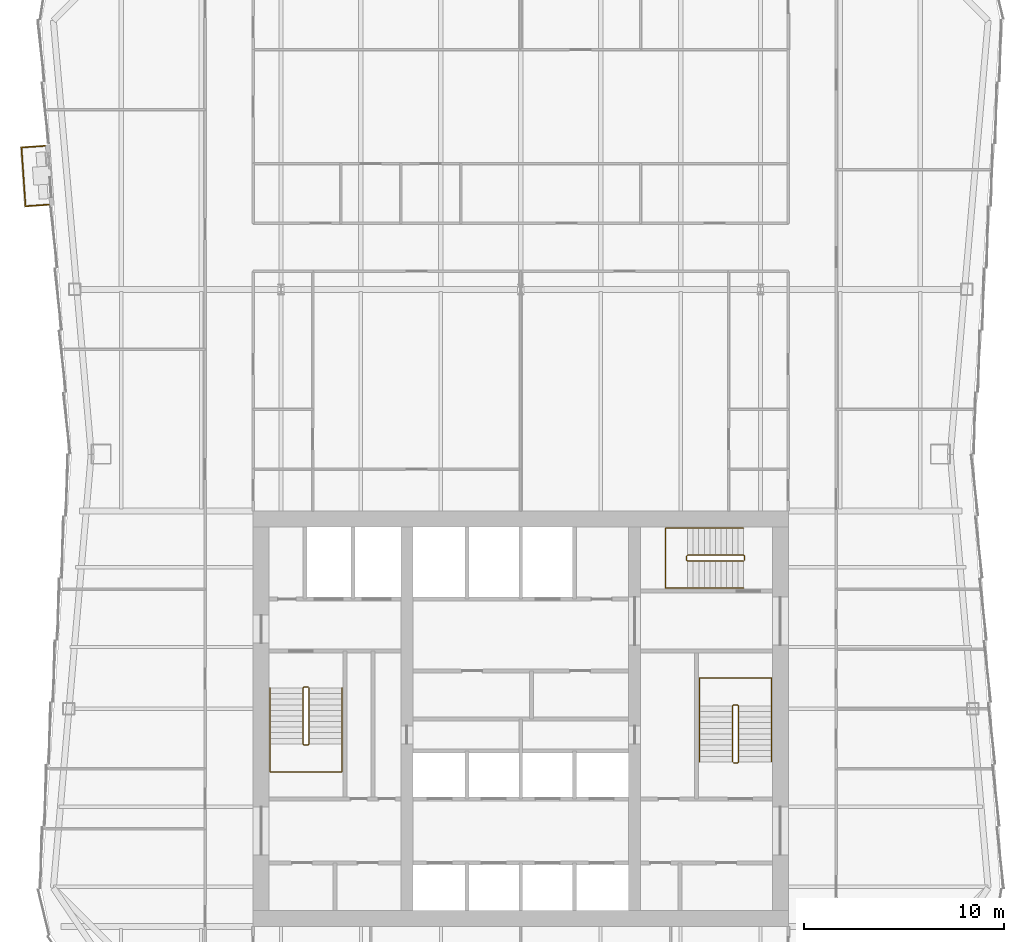
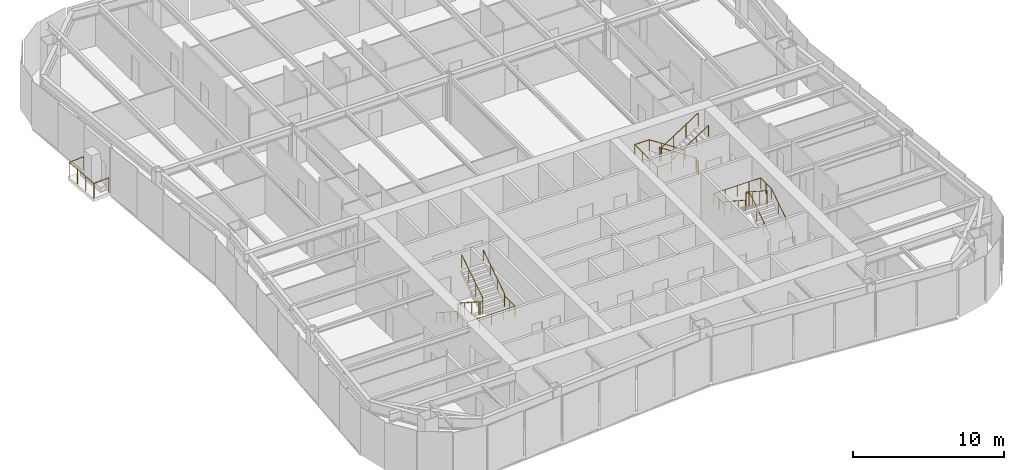
# One storey, part 11 of 12: 7 railings.
"""IFC4 building model written with IfcOpenShell, lengths in metres."""

import ifcopenshell
import ifcopenshell.guid

model = None  # the IFC model being written
_history = None  # IfcOwnerHistory: only IFC2X3 demands one
_inside = {}  # id of a spatial element -> (the spatial element, [elements in it])
_under = {}  # id of a project, library or spatial element -> (it, [spatial elements below it])
_declared = {}  # id of a project -> (the project, [libraries it declares])
_typed = {}  # id of a type object -> (the type object, [elements of that type])
_made_of = {}  # id of a material, layer set ... -> (it, [elements and type objects made of it])


def new_model(schema):
    """Start an empty IFC model of exactly this schema.

    Asked for "IFC4X3", IfcOpenShell would pick the latest addendum, in which some entities
    have other attributes; the version numbers below select the first issue.
    IFC2X3 requires an IfcOwnerHistory on every rooted entity: one is made here for all.
    """
    global model, _history
    if schema == "IFC4X3":
        model = ifcopenshell.file(schema_version=(4, 3, 0, 0))
    else:
        model = ifcopenshell.file(schema=schema)
    _inside.clear()
    _under.clear()
    _declared.clear()
    _typed.clear()
    _made_of.clear()
    _history = None
    if model.schema == "IFC2X3":
        org = make("IfcOrganization", Name="unknown")
        user = make(
            "IfcPersonAndOrganization",
            ThePerson=make("IfcPerson", FamilyName="unknown"),
            TheOrganization=org,
        )
        app = make(
            "IfcApplication",
            ApplicationDeveloper=org,
            Version="unknown",
            ApplicationFullName="unknown",
            ApplicationIdentifier="unknown",
        )
        _history = make(
            "IfcOwnerHistory",
            OwningUser=user,
            OwningApplication=app,
            ChangeAction="ADDED",
            CreationDate=0,
        )
    return model


def make(cls, **values):
    """One entity of the class cls with the attributes given. An attribute that is None is left unset."""
    return model.create_entity(
        cls, **{name: value for name, value in values.items() if value is not None}
    )


def rooted(cls, **values):
    """An entity with a GlobalId (a new one), such as an element, a storey or a relation."""
    return make(cls, GlobalId=ifcopenshell.guid.new(), OwnerHistory=_history, **values)


def si_unit(unit_type, name, prefix=None):
    """IfcSIUnit, for example si_unit("LENGTHUNIT", "METRE", prefix="MILLI")."""
    return make("IfcSIUnit", UnitType=unit_type, Prefix=prefix, Name=name)


def assignment(units):
    """IfcUnitAssignment: the units of a project."""
    return None if units is None else make("IfcUnitAssignment", Units=units)


def point(xyz):
    """IfcCartesianPoint."""
    return None if xyz is None else make("IfcCartesianPoint", Coordinates=xyz)


def direction(xyz):
    """IfcDirection."""
    return None if xyz is None else make("IfcDirection", DirectionRatios=xyz)


def frame(location, z_axis=None, x_axis=None):
    """IfcAxis2Placement3D, a coordinate frame: its origin and axes. An axis left out is left unset."""
    return make(
        "IfcAxis2Placement3D",
        Location=point(location),
        Axis=direction(z_axis),
        RefDirection=direction(x_axis),
    )


def frame_2d(location, x_axis=None):
    """IfcAxis2Placement2D, a coordinate frame in the plane: its origin and x axis."""
    return make(
        "IfcAxis2Placement2D", Location=point(location), RefDirection=direction(x_axis)
    )


def origin():
    """The frame at (0, 0, 0) with its axes left unset."""
    return frame((0.0, 0.0, 0.0))


def origin_2d():
    """The frame at (0, 0) in the plane with its x axis left unset."""
    return frame_2d((0.0, 0.0))


def place(relative_to, where):
    """IfcLocalPlacement: puts the frame where relative to a parent placement (None: the world)."""
    return make(
        "IfcLocalPlacement", PlacementRelTo=relative_to, RelativePlacement=where
    )


def context(
    kind, dimensions, precision=None, world=None, true_north=None, identifier=None
):
    """IfcGeometricRepresentationContext, for example the 3D "Model" context."""
    return make(
        "IfcGeometricRepresentationContext",
        ContextIdentifier=identifier,
        ContextType=kind,
        CoordinateSpaceDimension=dimensions,
        Precision=precision,
        WorldCoordinateSystem=world,
        TrueNorth=true_north,
    )


def subcontext(parent, identifier, kind, view, scale=None):
    """IfcGeometricRepresentationSubContext, for example "Body" below "Model"."""
    return make(
        "IfcGeometricRepresentationSubContext",
        ContextIdentifier=identifier,
        ContextType=kind,
        ParentContext=parent,
        TargetScale=scale,
        TargetView=view,
    )


def project(units=None, contexts=None):
    """IfcProject with its units and contexts."""
    return rooted(
        "IfcProject",
        Name="project",
        RepresentationContexts=contexts,
        UnitsInContext=assignment(units),
    )


def spatial(cls, under=None, at=None, **own):
    """A site, building, storey or space (cls), placed at a placement, below another one or the project."""
    s = rooted(cls, ObjectPlacement=at, **own)
    if under is not None:
        _under.setdefault(under.id(), (under, []))[1].append(s)
    return s


def profile(cls, at=None, kind="AREA", **sizes):
    """A parametric profile (cls). Its sizes go by their IFC names, for example OverallWidth=200.0."""
    return make(cls, ProfileType=kind, Position=at, **sizes)


def circle(**sizes):
    """IfcCircleProfileDef."""
    return profile("IfcCircleProfileDef", **sizes)


def extrude(swept, where, along, depth):
    """IfcExtrudedAreaSolid: the profile swept, set in the frame where, extruded along a direction by depth."""
    return make(
        "IfcExtrudedAreaSolid",
        SweptArea=swept,
        Position=where,
        ExtrudedDirection=direction(along),
        Depth=depth,
    )


def shape(context_of_items, identifier, shape_type, items):
    """IfcShapeRepresentation: the items that make up one representation, for example the "Body"."""
    return make(
        "IfcShapeRepresentation",
        ContextOfItems=context_of_items,
        RepresentationIdentifier=identifier,
        RepresentationType=shape_type,
        Items=items,
    )


def material(Name=None, Category=None):
    """IfcMaterial."""
    return make("IfcMaterial", Name=Name, Category=Category)


def made_of(thing, what):
    """Note that an element or type object is made of a material, layer set ...; save() writes the relation."""
    if what is not None:
        _made_of.setdefault(what.id(), (what, []))[1].append(thing)
    return thing


def type_object(cls, material=None, **own):
    """A type object (cls), such as IfcWallType, which elements share."""
    return made_of(rooted(cls, **own), material)


def element(
    cls,
    number,
    at=None,
    inside=None,
    cuts=None,
    type_object=None,
    material=None,
    context=None,
    identifier="Body",
    shape_type=None,
    held_by="IfcProductDefinitionShape",
    body=None,
    shapes=None,
    **own,
):
    """One element of the class cls, such as IfcWall. Its Tag is "e" and its number.

    at: its placement. inside: the storey or other place that contains it. cuts: it is an
    opening in that element (IfcRelVoidsElement). A single representation is given by context,
    identifier, shape_type and body (its items); several are given by shapes. held_by: the class
    of the entity that holds the representations. save() writes the other relations.
    """
    e = rooted(cls, Tag="e%d" % number, ObjectPlacement=at, **own)
    if body is not None:
        shapes = [shape(context, identifier, shape_type, body)]
    if shapes is not None:
        e.Representation = make(held_by, Representations=shapes)
    if inside is not None:
        _inside.setdefault(inside.id(), (inside, []))[1].append(e)
    if cuts is not None:
        rooted(
            "IfcRelVoidsElement", RelatingBuildingElement=cuts, RelatedOpeningElement=e
        )
    if type_object is not None:
        _typed.setdefault(type_object.id(), (type_object, []))[1].append(e)
    return made_of(e, material)


def aggregate(whole, parts):
    """IfcRelAggregates: a whole, such as a stair, and the parts it consists of."""
    return rooted("IfcRelAggregates", RelatingObject=whole, RelatedObjects=parts)


def save(model, path):
    """Write the relations noted so far, then the file.

    IfcRelAggregates (storeys below a building ...), IfcRelContainedInSpatialStructure (elements
    in a storey), IfcRelDefinesByType, IfcRelAssociatesMaterial and IfcRelDeclares: one each for
    every whole, place, type object, material and project.
    """
    for whole, parts in _under.values():
        aggregate(whole, parts)
    for where, things in _inside.values():
        rooted(
            "IfcRelContainedInSpatialStructure",
            RelatedElements=things,
            RelatingStructure=where,
        )
    for kind, things in _typed.values():
        rooted("IfcRelDefinesByType", RelatedObjects=things, RelatingType=kind)
    for what, things in _made_of.values():
        rooted("IfcRelAssociatesMaterial", RelatedObjects=things, RelatingMaterial=what)
    for by, libraries in _declared.values():
        rooted("IfcRelDeclares", RelatingContext=by, RelatedDefinitions=libraries)
    model.write(path)


model = new_model("IFC4")

# Units and contexts
model_context = context("Model", 3, precision=1e-05, world=origin(), true_north=direction((0.0, 1.0)))
body_context = subcontext(model_context, "Body", "Model", "MODEL_VIEW")
ifc_project = project(units=[si_unit("LENGTHUNIT", "METRE"), si_unit("AREAUNIT", "SQUARE_METRE"), si_unit("VOLUMEUNIT", "CUBIC_METRE"), si_unit("PLANEANGLEUNIT", "RADIAN"), si_unit("MASSUNIT", "GRAM", prefix="KILO")], contexts=[model_context])

# Site, building, storey
site_placement = place(None, origin())
site = spatial("IfcSite", under=ifc_project, at=site_placement, CompositionType="ELEMENT")
building_placement = place(site_placement, origin())
building = spatial("IfcBuilding", under=site, at=building_placement, Name="Verdant Reach Tower", CompositionType="ELEMENT")
storey_placement = place(building_placement, frame((0.0, 0.0, 246.0)))
storey = spatial("IfcBuildingStorey", under=building, at=storey_placement, Name="L56", CompositionType="ELEMENT", Elevation=246.0)

# Railings
ifc_material_1 = material(Name="Stainless steel", Category="steel")
railing_type_1 = type_object("IfcRailingType", Name="CO-GUARD", PredefinedType="GUARDRAIL", material=ifc_material_1)
railing_1_placement = place(storey_placement, frame((-10.64990234375, 29.60009765625, 0.0)))
element("IfcRailing", 1, at=railing_1_placement, inside=storey, type_object=railing_type_1, Name="L56 ST-1 stair guard 1", PredefinedType="GUARDRAIL", context=body_context, shape_type="SweptSolid", body=[
    extrude(circle(Radius=0.02392578125, at=origin_2d()), frame((0.0, 0.0, 1.076171875), z_axis=(-1.0, 0.0, 0.0), x_axis=(0.0, -1.0, 0.0)), (0.0, 0.0, 1.0), 0.2001953125),
    extrude(circle(Radius=0.02392578125, at=origin_2d()), frame((-0.2001953125, 0.0, 1.076171875), z_axis=(-0.25526617399, -0.256517478764, 0.932222056972), x_axis=(0.708833529934, -0.705375805398, 0.0)), (0.0, 0.0, 1.0), 0.195068359375),
    extrude(circle(Radius=0.02392578125, at=origin_2d()), frame((-0.25, -0.050048828125, 1.2578125), z_axis=(0.0, -0.838705829183, 0.544584733623), x_axis=(1.0, 0.0, 0.0)), (0.0, 0.0, 1.0), 3.338623046875),
    extrude(circle(Radius=0.02392578125, at=origin_2d()), frame((-0.25, -2.85009765625, 3.076171875), z_axis=(0.705375805398, -0.708833529934, 0.0), x_axis=(0.708833529934, 0.705375805398, 0.0)), (0.0, 0.0, 1.0), 0.070556640625),
    extrude(circle(Radius=0.02392578125, at=origin_2d()), frame((-0.2001953125, -2.900146484375, 3.076171875), z_axis=(1.0, 0.0, 0.0), x_axis=(0.0, 1.0, 0.0)), (0.0, 0.0, 1.0), 0.2001953125),
    extrude(circle(Radius=0.02392578125, at=origin_2d()), frame((0.0, -2.900146484375, 3.076171875), z_axis=(0.25526617399, 0.256517478764, 0.932222056972), x_axis=(-0.708833529934, 0.705375805398, 0.0)), (0.0, 0.0, 1.0), 0.195068359375),
    extrude(circle(Radius=0.02392578125, at=origin_2d()), frame((0.0498046875, -2.85009765625, 3.2578125), z_axis=(0.0, 0.838705829183, 0.544584733623), x_axis=(-1.0, 0.0, 0.0)), (0.0, 0.0, 1.0), 3.338623046875),
    extrude(circle(Radius=0.02099609375, at=origin_2d()), origin(), (0.0, 0.0, 1.0), 1.052001953125),
    extrude(circle(Radius=0.02099609375, at=origin_2d()), frame((-0.2001953125, 0.0, 0.0)), (0.0, 0.0, 1.0), 1.052001953125),
    extrude(circle(Radius=0.02099609375, at=origin_2d()), frame((-0.25, -0.050048828125, 0.181884765625)), (0.0, 0.0, 1.0), 1.052001953125),
    extrude(circle(Radius=0.02099609375, at=origin_2d()), frame((-0.25, -0.9833984375, 0.787841796875)), (0.0, 0.0, 1.0), 1.052001953125),
    extrude(circle(Radius=0.02099609375, at=origin_2d()), frame((-0.25, -1.916748046875, 1.39404296875)), (0.0, 0.0, 1.0), 1.052001953125),
    extrude(circle(Radius=0.02099609375, at=origin_2d()), frame((-0.25, -2.85009765625, 2.0)), (0.0, 0.0, 1.0), 1.052001953125),
    extrude(circle(Radius=0.02099609375, at=origin_2d()), frame((-0.2001953125, -2.900146484375, 2.0)), (0.0, 0.0, 1.0), 1.052001953125),
    extrude(circle(Radius=0.02099609375, at=origin_2d()), frame((0.0, -2.900146484375, 2.0)), (0.0, 0.0, 1.0), 1.052001953125),
    extrude(circle(Radius=0.02099609375, at=origin_2d()), frame((0.0498046875, -2.85009765625, 2.181884765625)), (0.0, 0.0, 1.0), 1.052001953125),
    extrude(circle(Radius=0.02099609375, at=origin_2d()), frame((0.0498046875, -1.916748046875, 2.787841796875)), (0.0, 0.0, 1.0), 1.052001953125),
    extrude(circle(Radius=0.02099609375, at=origin_2d()), frame((0.0498046875, -0.9833984375, 3.39404296875)), (0.0, 0.0, 1.0), 1.052001953125),
    extrude(circle(Radius=0.02099609375, at=origin_2d()), frame((0.0498046875, -0.050048828125, 4.0)), (0.0, 0.0, 1.0), 1.052001953125),
])
railing_2_placement = place(storey_placement, frame((10.64990234375, 25.800048828125, 0.0)))
element("IfcRailing", 2, at=railing_2_placement, inside=storey, type_object=railing_type_1, Name="L56 ST-2 stair guard 1", PredefinedType="GUARDRAIL", context=body_context, shape_type="SweptSolid", body=[
    extrude(circle(Radius=0.02392578125, at=origin_2d()), frame((0.0, 0.0, 1.076171875), z_axis=(1.0, 0.0, 0.0), x_axis=(0.0, 1.0, 0.0)), (0.0, 0.0, 1.0), 0.2001953125),
    extrude(circle(Radius=0.02392578125, at=origin_2d()), frame((0.2001953125, 0.0, 1.076171875), z_axis=(0.25526617399, 0.256517478764, 0.932222056972), x_axis=(-0.708833529934, 0.705375805398, 0.0)), (0.0, 0.0, 1.0), 0.195068359375),
    extrude(circle(Radius=0.02392578125, at=origin_2d()), frame((0.25, 0.050048828125, 1.2578125), z_axis=(0.0, 0.83868413941, 0.544618136222), x_axis=(-1.0, 0.0, 0.0)), (0.0, 0.0, 1.0), 3.33837890625),
    extrude(circle(Radius=0.02392578125, at=origin_2d()), frame((0.25, 2.849853515625, 3.076171875), z_axis=(-0.705375805398, 0.708833529934, 0.0), x_axis=(-0.708833529934, -0.705375805398, 0.0)), (0.0, 0.0, 1.0), 0.070556640625),
    extrude(circle(Radius=0.02392578125, at=origin_2d()), frame((0.2001953125, 2.89990234375, 3.076171875), z_axis=(-1.0, 0.0, 0.0), x_axis=(0.0, -1.0, 0.0)), (0.0, 0.0, 1.0), 0.2001953125),
    extrude(circle(Radius=0.02392578125, at=origin_2d()), frame((0.0, 2.89990234375, 3.076171875), z_axis=(-0.25526617399, -0.256517478764, 0.932222056972), x_axis=(0.708833529934, -0.705375805398, 0.0)), (0.0, 0.0, 1.0), 0.195068359375),
    extrude(circle(Radius=0.02392578125, at=origin_2d()), frame((-0.0498046875, 2.849853515625, 3.2578125), z_axis=(0.0, -0.83868413941, 0.544618136222), x_axis=(1.0, 0.0, 0.0)), (0.0, 0.0, 1.0), 3.33837890625),
    extrude(circle(Radius=0.02099609375, at=origin_2d()), origin(), (0.0, 0.0, 1.0), 1.052001953125),
    extrude(circle(Radius=0.02099609375, at=origin_2d()), frame((0.2001953125, 0.0, 0.0)), (0.0, 0.0, 1.0), 1.052001953125),
    extrude(circle(Radius=0.02099609375, at=origin_2d()), frame((0.25, 0.050048828125, 0.181884765625)), (0.0, 0.0, 1.0), 1.052001953125),
    extrude(circle(Radius=0.02099609375, at=origin_2d()), frame((0.25, 0.9833984375, 0.787841796875)), (0.0, 0.0, 1.0), 1.052001953125),
    extrude(circle(Radius=0.02099609375, at=origin_2d()), frame((0.25, 1.91650390625, 1.39404296875)), (0.0, 0.0, 1.0), 1.052001953125),
    extrude(circle(Radius=0.02099609375, at=origin_2d()), frame((0.25, 2.849853515625, 2.0)), (0.0, 0.0, 1.0), 1.052001953125),
    extrude(circle(Radius=0.02099609375, at=origin_2d()), frame((0.2001953125, 2.89990234375, 2.0)), (0.0, 0.0, 1.0), 1.052001953125),
    extrude(circle(Radius=0.02099609375, at=origin_2d()), frame((0.0, 2.89990234375, 2.0)), (0.0, 0.0, 1.0), 1.052001953125),
    extrude(circle(Radius=0.02099609375, at=origin_2d()), frame((-0.0498046875, 2.849853515625, 2.181884765625)), (0.0, 0.0, 1.0), 1.052001953125),
    extrude(circle(Radius=0.02099609375, at=origin_2d()), frame((-0.0498046875, 1.91650390625, 2.787841796875)), (0.0, 0.0, 1.0), 1.052001953125),
    extrude(circle(Radius=0.02099609375, at=origin_2d()), frame((-0.0498046875, 0.9833984375, 3.39404296875)), (0.0, 0.0, 1.0), 1.052001953125),
    extrude(circle(Radius=0.02099609375, at=origin_2d()), frame((-0.0498046875, 0.050048828125, 4.0)), (0.0, 0.0, 1.0), 1.052001953125),
])
railing_3_placement = place(storey_placement, frame((11.199951171875, 35.949951171875, 0.0)))
element("IfcRailing", 3, at=railing_3_placement, inside=storey, type_object=railing_type_1, Name="L56 ST-3 stair guard 1", PredefinedType="GUARDRAIL", context=body_context, shape_type="SweptSolid", body=[
    extrude(circle(Radius=0.02392578125, at=origin_2d()), frame((0.0, 0.0, 1.076171875), z_axis=(0.0, 1.0, 0.0), x_axis=(-1.0, 0.0, 0.0)), (0.0, 0.0, 1.0), 0.199951171875),
    extrude(circle(Radius=0.02392578125, at=origin_2d()), frame((0.0, 0.199951171875, 1.076171875), z_axis=(-0.256435381639, 0.256435381639, 0.931923704005), x_axis=(-0.707106781187, -0.707106781187, 0.0)), (0.0, 0.0, 1.0), 0.195068359375),
    extrude(circle(Radius=0.02392578125, at=origin_2d()), frame((-0.050048828125, 0.25, 1.2578125), z_axis=(-0.83868413941, 0.0, 0.544618136222), x_axis=(0.0, -1.0, 0.0)), (0.0, 0.0, 1.0), 3.33837890625),
    extrude(circle(Radius=0.02392578125, at=origin_2d()), frame((-2.849853515625, 0.25, 3.076171875), z_axis=(-0.707106781187, -0.707106781187, 0.0), x_axis=(0.707106781187, -0.707106781187, 0.0)), (0.0, 0.0, 1.0), 0.07080078125),
    extrude(circle(Radius=0.02392578125, at=origin_2d()), frame((-2.89990234375, 0.199951171875, 3.076171875), z_axis=(0.0, -1.0, 0.0), x_axis=(1.0, 0.0, 0.0)), (0.0, 0.0, 1.0), 0.199951171875),
    extrude(circle(Radius=0.02392578125, at=origin_2d()), frame((-2.89990234375, 0.0, 3.076171875), z_axis=(0.256435381639, -0.256435381639, 0.931923704005), x_axis=(0.707106781187, 0.707106781187, 0.0)), (0.0, 0.0, 1.0), 0.195068359375),
    extrude(circle(Radius=0.02392578125, at=origin_2d()), frame((-2.849853515625, -0.050048828125, 3.2578125), z_axis=(0.83868413941, 0.0, 0.544618136222), x_axis=(0.0, 1.0, 0.0)), (0.0, 0.0, 1.0), 3.33837890625),
    extrude(circle(Radius=0.02099609375, at=origin_2d()), origin(), (0.0, 0.0, 1.0), 1.052001953125),
    extrude(circle(Radius=0.02099609375, at=origin_2d()), frame((0.0, 0.199951171875, 0.0)), (0.0, 0.0, 1.0), 1.052001953125),
    extrude(circle(Radius=0.02099609375, at=origin_2d()), frame((-0.050048828125, 0.25, 0.181884765625)), (0.0, 0.0, 1.0), 1.052001953125),
    extrude(circle(Radius=0.02099609375, at=origin_2d()), frame((-0.9833984375, 0.25, 0.787841796875)), (0.0, 0.0, 1.0), 1.052001953125),
    extrude(circle(Radius=0.02099609375, at=origin_2d()), frame((-1.91650390625, 0.25, 1.39404296875)), (0.0, 0.0, 1.0), 1.052001953125),
    extrude(circle(Radius=0.02099609375, at=origin_2d()), frame((-2.849853515625, 0.25, 2.0)), (0.0, 0.0, 1.0), 1.052001953125),
    extrude(circle(Radius=0.02099609375, at=origin_2d()), frame((-2.89990234375, 0.199951171875, 2.0)), (0.0, 0.0, 1.0), 1.052001953125),
    extrude(circle(Radius=0.02099609375, at=origin_2d()), frame((-2.89990234375, 0.0, 2.0)), (0.0, 0.0, 1.0), 1.052001953125),
    extrude(circle(Radius=0.02099609375, at=origin_2d()), frame((-2.849853515625, -0.050048828125, 2.181884765625)), (0.0, 0.0, 1.0), 1.052001953125),
    extrude(circle(Radius=0.02099609375, at=origin_2d()), frame((-1.91650390625, -0.050048828125, 2.787841796875)), (0.0, 0.0, 1.0), 1.052001953125),
    extrude(circle(Radius=0.02099609375, at=origin_2d()), frame((-0.9833984375, -0.050048828125, 3.39404296875)), (0.0, 0.0, 1.0), 1.052001953125),
    extrude(circle(Radius=0.02099609375, at=origin_2d()), frame((-0.050048828125, -0.050048828125, 4.0)), (0.0, 0.0, 1.0), 1.052001953125),
])
railing_type_2 = type_object("IfcRailingType", Name="CO-HANDRAIL", PredefinedType="HANDRAIL", material=ifc_material_1)
railing_4_placement = place(storey_placement, frame((-12.550048828125, 29.550048828125, 0.181884765625)))
element("IfcRailing", 4, at=railing_4_placement, inside=storey, type_object=railing_type_2, Name="L56 ST-1 stair handrail 1", PredefinedType="HANDRAIL", context=body_context, shape_type="SweptSolid", body=[
    extrude(circle(Radius=0.02392578125, at=origin_2d()), frame((0.0, 0.0, 0.8759765625), z_axis=(0.0, -0.838705829183, 0.544584733623), x_axis=(1.0, 0.0, 0.0)), (0.0, 0.0, 1.0), 3.338623046875),
    extrude(circle(Radius=0.02392578125, at=origin_2d()), frame((0.0, -2.800048828125, 2.69384765625), z_axis=(0.0, -1.0, 0.0), x_axis=(1.0, 0.0, 0.0)), (0.0, 0.0, 1.0), 1.39990234375),
    extrude(circle(Radius=0.02392578125, at=origin_2d()), frame((0.0, -4.199951171875, 2.69384765625), z_axis=(1.0, 0.0, 0.0), x_axis=(0.0, 1.0, 0.0)), (0.0, 0.0, 1.0), 3.60009765625),
    extrude(circle(Radius=0.02392578125, at=origin_2d()), frame((3.60009765625, -4.199951171875, 2.69384765625), z_axis=(0.0, 1.0, 0.0), x_axis=(-1.0, 0.0, 0.0)), (0.0, 0.0, 1.0), 1.39990234375),
    extrude(circle(Radius=0.02392578125, at=origin_2d()), frame((3.60009765625, -2.800048828125, 2.69384765625), z_axis=(0.0, 0.0, 1.0), x_axis=(1.0, 0.0, 0.0)), (0.0, 0.0, 1.0), 0.181884765625),
    extrude(circle(Radius=0.02392578125, at=origin_2d()), frame((3.60009765625, -2.800048828125, 2.8759765625), z_axis=(0.0, 0.838705829183, 0.544584733623), x_axis=(-1.0, 0.0, 0.0)), (0.0, 0.0, 1.0), 3.338623046875),
    extrude(circle(Radius=0.02099609375, at=origin_2d()), origin(), (0.0, 0.0, 1.0), 0.851806640625),
    extrude(circle(Radius=0.02099609375, at=origin_2d()), frame((0.0, -0.933349609375, 0.60595703125)), (0.0, 0.0, 1.0), 0.851806640625),
    extrude(circle(Radius=0.02099609375, at=origin_2d()), frame((0.0, -1.86669921875, 1.212158203125)), (0.0, 0.0, 1.0), 0.851806640625),
    extrude(circle(Radius=0.02099609375, at=origin_2d()), frame((0.0, -2.800048828125, 1.818115234375)), (0.0, 0.0, 1.0), 0.851806640625),
    extrude(circle(Radius=0.02099609375, at=origin_2d()), frame((0.0, -3.5, 1.818115234375)), (0.0, 0.0, 1.0), 0.851806640625),
    extrude(circle(Radius=0.02099609375, at=origin_2d()), frame((0.0, -4.199951171875, 1.818115234375)), (0.0, 0.0, 1.0), 0.851806640625),
    extrude(circle(Radius=0.02099609375, at=origin_2d()), frame((0.89990234375, -4.199951171875, 1.818115234375)), (0.0, 0.0, 1.0), 0.851806640625),
    extrude(circle(Radius=0.02099609375, at=origin_2d()), frame((1.800048828125, -4.199951171875, 1.818115234375)), (0.0, 0.0, 1.0), 0.851806640625),
    extrude(circle(Radius=0.02099609375, at=origin_2d()), frame((2.7001953125, -4.199951171875, 1.818115234375)), (0.0, 0.0, 1.0), 0.851806640625),
    extrude(circle(Radius=0.02099609375, at=origin_2d()), frame((3.60009765625, -4.199951171875, 1.818115234375)), (0.0, 0.0, 1.0), 0.851806640625),
    extrude(circle(Radius=0.02099609375, at=origin_2d()), frame((3.60009765625, -3.5, 1.818115234375)), (0.0, 0.0, 1.0), 0.851806640625),
    extrude(circle(Radius=0.02099609375, at=origin_2d()), frame((3.60009765625, -2.800048828125, 1.818115234375)), (0.0, 0.0, 1.0), 0.851806640625),
    extrude(circle(Radius=0.02099609375, at=origin_2d()), frame((3.60009765625, -2.800048828125, 2.0)), (0.0, 0.0, 1.0), 0.851806640625),
    extrude(circle(Radius=0.02099609375, at=origin_2d()), frame((3.60009765625, -1.86669921875, 2.60595703125)), (0.0, 0.0, 1.0), 0.851806640625),
    extrude(circle(Radius=0.02099609375, at=origin_2d()), frame((3.60009765625, -0.933349609375, 3.212158203125)), (0.0, 0.0, 1.0), 0.851806640625),
    extrude(circle(Radius=0.02099609375, at=origin_2d()), frame((3.60009765625, 0.0, 3.818115234375)), (0.0, 0.0, 1.0), 0.851806640625),
])
railing_5_placement = place(storey_placement, frame((12.550048828125, 25.85009765625, 0.181884765625)))
element("IfcRailing", 5, at=railing_5_placement, inside=storey, type_object=railing_type_2, Name="L56 ST-2 stair handrail 1", PredefinedType="HANDRAIL", context=body_context, shape_type="SweptSolid", body=[
    extrude(circle(Radius=0.02392578125, at=origin_2d()), frame((0.0, 0.0, 0.8759765625), z_axis=(0.0, 0.83868413941, 0.544618136222), x_axis=(-1.0, 0.0, 0.0)), (0.0, 0.0, 1.0), 3.33837890625),
    extrude(circle(Radius=0.02392578125, at=origin_2d()), frame((0.0, 2.7998046875, 2.69384765625), z_axis=(0.0, 1.0, 0.0), x_axis=(-1.0, 0.0, 0.0)), (0.0, 0.0, 1.0), 1.400146484375),
    extrude(circle(Radius=0.02392578125, at=origin_2d()), frame((0.0, 4.199951171875, 2.69384765625), z_axis=(-1.0, 0.0, 0.0), x_axis=(0.0, -1.0, 0.0)), (0.0, 0.0, 1.0), 3.60009765625),
    extrude(circle(Radius=0.02392578125, at=origin_2d()), frame((-3.60009765625, 4.199951171875, 2.69384765625), z_axis=(0.0, -1.0, 0.0), x_axis=(1.0, 0.0, 0.0)), (0.0, 0.0, 1.0), 1.400146484375),
    extrude(circle(Radius=0.02392578125, at=origin_2d()), frame((-3.60009765625, 2.7998046875, 2.69384765625), z_axis=(0.0, 0.0, 1.0), x_axis=(1.0, 0.0, 0.0)), (0.0, 0.0, 1.0), 0.181884765625),
    extrude(circle(Radius=0.02392578125, at=origin_2d()), frame((-3.60009765625, 2.7998046875, 2.8759765625), z_axis=(0.0, -0.83868413941, 0.544618136222), x_axis=(1.0, 0.0, 0.0)), (0.0, 0.0, 1.0), 3.33837890625),
    extrude(circle(Radius=0.02099609375, at=origin_2d()), origin(), (0.0, 0.0, 1.0), 0.851806640625),
    extrude(circle(Radius=0.02099609375, at=origin_2d()), frame((0.0, 0.933349609375, 0.60595703125)), (0.0, 0.0, 1.0), 0.851806640625),
    extrude(circle(Radius=0.02099609375, at=origin_2d()), frame((0.0, 1.866455078125, 1.212158203125)), (0.0, 0.0, 1.0), 0.851806640625),
    extrude(circle(Radius=0.02099609375, at=origin_2d()), frame((0.0, 2.7998046875, 1.818115234375)), (0.0, 0.0, 1.0), 0.851806640625),
    extrude(circle(Radius=0.02099609375, at=origin_2d()), frame((0.0, 3.5, 1.818115234375)), (0.0, 0.0, 1.0), 0.851806640625),
    extrude(circle(Radius=0.02099609375, at=origin_2d()), frame((0.0, 4.199951171875, 1.818115234375)), (0.0, 0.0, 1.0), 0.851806640625),
    extrude(circle(Radius=0.02099609375, at=origin_2d()), frame((-0.89990234375, 4.199951171875, 1.818115234375)), (0.0, 0.0, 1.0), 0.851806640625),
    extrude(circle(Radius=0.02099609375, at=origin_2d()), frame((-1.800048828125, 4.199951171875, 1.818115234375)), (0.0, 0.0, 1.0), 0.851806640625),
    extrude(circle(Radius=0.02099609375, at=origin_2d()), frame((-2.7001953125, 4.199951171875, 1.818115234375)), (0.0, 0.0, 1.0), 0.851806640625),
    extrude(circle(Radius=0.02099609375, at=origin_2d()), frame((-3.60009765625, 4.199951171875, 1.818115234375)), (0.0, 0.0, 1.0), 0.851806640625),
    extrude(circle(Radius=0.02099609375, at=origin_2d()), frame((-3.60009765625, 3.5, 1.818115234375)), (0.0, 0.0, 1.0), 0.851806640625),
    extrude(circle(Radius=0.02099609375, at=origin_2d()), frame((-3.60009765625, 2.7998046875, 1.818115234375)), (0.0, 0.0, 1.0), 0.851806640625),
    extrude(circle(Radius=0.02099609375, at=origin_2d()), frame((-3.60009765625, 2.7998046875, 2.0)), (0.0, 0.0, 1.0), 0.851806640625),
    extrude(circle(Radius=0.02099609375, at=origin_2d()), frame((-3.60009765625, 1.866455078125, 2.60595703125)), (0.0, 0.0, 1.0), 0.851806640625),
    extrude(circle(Radius=0.02099609375, at=origin_2d()), frame((-3.60009765625, 0.933349609375, 3.212158203125)), (0.0, 0.0, 1.0), 0.851806640625),
    extrude(circle(Radius=0.02099609375, at=origin_2d()), frame((-3.60009765625, 0.0, 3.818115234375)), (0.0, 0.0, 1.0), 0.851806640625),
])
railing_6_placement = place(storey_placement, frame((11.14990234375, 37.550048828125, 0.181884765625)))
element("IfcRailing", 6, at=railing_6_placement, inside=storey, type_object=railing_type_2, Name="L56 ST-3 stair handrail 1", PredefinedType="HANDRAIL", context=body_context, shape_type="SweptSolid", body=[
    extrude(circle(Radius=0.02392578125, at=origin_2d()), frame((0.0, 0.0, 0.8759765625), z_axis=(-0.83868413941, 0.0, 0.544618136222), x_axis=(0.0, -1.0, 0.0)), (0.0, 0.0, 1.0), 3.33837890625),
    extrude(circle(Radius=0.02392578125, at=origin_2d()), frame((-2.7998046875, 0.0, 2.69384765625), z_axis=(-1.0, 0.0, 0.0), x_axis=(0.0, -1.0, 0.0)), (0.0, 0.0, 1.0), 1.10009765625),
    extrude(circle(Radius=0.02392578125, at=origin_2d()), frame((-3.89990234375, 0.0, 2.69384765625), z_axis=(0.0, -1.0, 0.0), x_axis=(1.0, 0.0, 0.0)), (0.0, 0.0, 1.0), 3.0),
    extrude(circle(Radius=0.02392578125, at=origin_2d()), frame((-3.89990234375, -3.0, 2.69384765625), z_axis=(1.0, 0.0, 0.0), x_axis=(0.0, 1.0, 0.0)), (0.0, 0.0, 1.0), 1.10009765625),
    extrude(circle(Radius=0.02392578125, at=origin_2d()), frame((-2.7998046875, -3.0, 2.69384765625), z_axis=(0.0, 0.0, 1.0), x_axis=(1.0, 0.0, 0.0)), (0.0, 0.0, 1.0), 0.181884765625),
    extrude(circle(Radius=0.02392578125, at=origin_2d()), frame((-2.7998046875, -3.0, 2.8759765625), z_axis=(0.83868413941, 0.0, 0.544618136222), x_axis=(0.0, 1.0, 0.0)), (0.0, 0.0, 1.0), 3.33837890625),
    extrude(circle(Radius=0.02099609375, at=origin_2d()), origin(), (0.0, 0.0, 1.0), 0.851806640625),
    extrude(circle(Radius=0.02099609375, at=origin_2d()), frame((-0.933349609375, 0.0, 0.60595703125)), (0.0, 0.0, 1.0), 0.851806640625),
    extrude(circle(Radius=0.02099609375, at=origin_2d()), frame((-1.866455078125, 0.0, 1.212158203125)), (0.0, 0.0, 1.0), 0.851806640625),
    extrude(circle(Radius=0.02099609375, at=origin_2d()), frame((-2.7998046875, 0.0, 1.818115234375)), (0.0, 0.0, 1.0), 0.851806640625),
    extrude(circle(Radius=0.02099609375, at=origin_2d()), frame((-3.89990234375, 0.0, 1.818115234375)), (0.0, 0.0, 1.0), 0.851806640625),
    extrude(circle(Radius=0.02099609375, at=origin_2d()), frame((-3.89990234375, -1.0, 1.818115234375)), (0.0, 0.0, 1.0), 0.851806640625),
    extrude(circle(Radius=0.02099609375, at=origin_2d()), frame((-3.89990234375, -2.0, 1.818115234375)), (0.0, 0.0, 1.0), 0.851806640625),
    extrude(circle(Radius=0.02099609375, at=origin_2d()), frame((-3.89990234375, -3.0, 1.818115234375)), (0.0, 0.0, 1.0), 0.851806640625),
    extrude(circle(Radius=0.02099609375, at=origin_2d()), frame((-2.7998046875, -3.0, 1.818115234375)), (0.0, 0.0, 1.0), 0.851806640625),
    extrude(circle(Radius=0.02099609375, at=origin_2d()), frame((-2.7998046875, -3.0, 2.0)), (0.0, 0.0, 1.0), 0.851806640625),
    extrude(circle(Radius=0.02099609375, at=origin_2d()), frame((-1.866455078125, -3.0, 2.60595703125)), (0.0, 0.0, 1.0), 0.851806640625),
    extrude(circle(Radius=0.02099609375, at=origin_2d()), frame((-0.933349609375, -3.0, 3.212158203125)), (0.0, 0.0, 1.0), 0.851806640625),
    extrude(circle(Radius=0.02099609375, at=origin_2d()), frame((0.0, -3.0, 3.818115234375)), (0.0, 0.0, 1.0), 0.851806640625),
])
ifc_material_2 = material(Name="Stainless steel and laminated glass balustrade", Category="steel")
railing_type_3 = type_object("IfcRailingType", Name="EN-RAILING BALCONY", PredefinedType="GUARDRAIL", material=ifc_material_2)
railing_7_placement = place(storey_placement, frame((-23.819091796875, 56.684326171875, 0.0)))
element("IfcRailing", 7, at=railing_7_placement, inside=storey, type_object=railing_type_3, Name="Balcony guard 1, L56", PredefinedType="GUARDRAIL", context=body_context, shape_type="SweptSolid", body=[
    extrude(circle(Radius=0.02490234375, at=origin_2d()), frame((0.0, 0.0, 1.1748046875), z_axis=(-0.997635730952, -0.068723710082, 0.0), x_axis=(0.068723710082, -0.997635730952, 0.0)), (0.0, 0.0, 1.0), 1.17578125),
    extrude(circle(Radius=0.02490234375, at=origin_2d()), frame((-1.173095703125, -0.080810546875, 1.1748046875), z_axis=(0.068773654488, -0.997632289197, 0.0), x_axis=(0.997632289197, 0.068773654488, 0.0)), (0.0, 0.0, 1.0), 2.946533203125),
    extrude(circle(Radius=0.02490234375, at=origin_2d()), frame((-0.970458984375, -3.020263671875, 1.1748046875), z_axis=(0.997636711247, 0.068709478032, 0.0), x_axis=(-0.068709478032, 0.997636711247, 0.0)), (0.0, 0.0, 1.0), 1.176025390625),
    extrude(circle(Radius=0.02490234375, at=origin_2d()), origin(), (0.0, 0.0, 1.0), 1.14990234375),
    extrude(circle(Radius=0.02490234375, at=origin_2d()), frame((-1.173095703125, -0.080810546875, 0.0)), (0.0, 0.0, 1.0), 1.14990234375),
    extrude(circle(Radius=0.02490234375, at=origin_2d()), frame((-1.10546875, -1.060546875, 0.0)), (0.0, 0.0, 1.0), 1.14990234375),
    extrude(circle(Radius=0.02490234375, at=origin_2d()), frame((-1.0380859375, -2.04052734375, 0.0)), (0.0, 0.0, 1.0), 1.14990234375),
    extrude(circle(Radius=0.02490234375, at=origin_2d()), frame((-0.970458984375, -3.020263671875, 0.0)), (0.0, 0.0, 1.0), 1.14990234375),
    extrude(circle(Radius=0.02490234375, at=origin_2d()), frame((0.202880859375, -2.939453125, 0.0)), (0.0, 0.0, 1.0), 1.14990234375),
])

save(model, "model.ifc")
